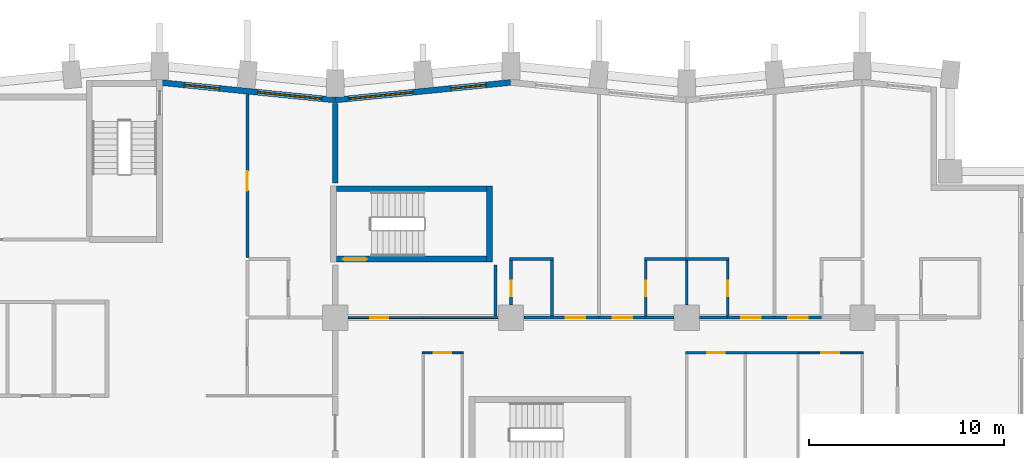
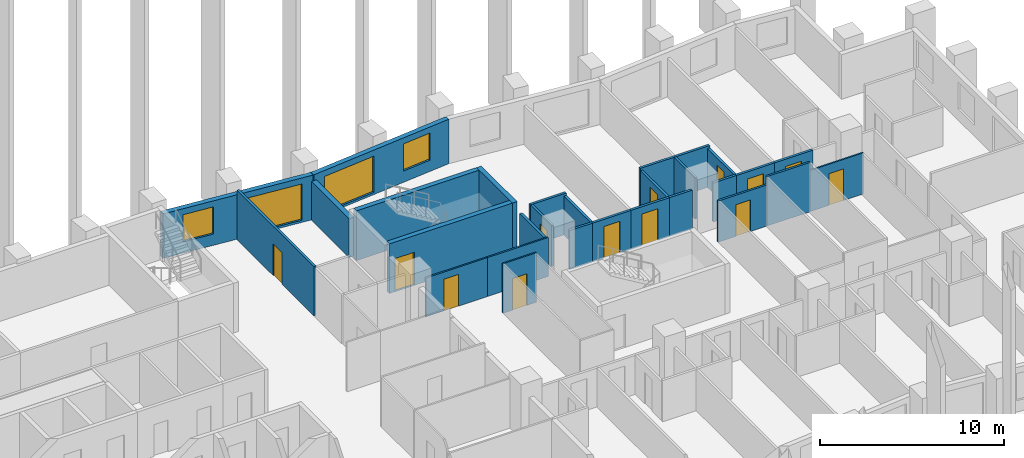
# One storey, part 9 of 13: 29 walls, 13 doors, 4 windows, 17 openings.
"""IFC4 building model written with IfcOpenShell, lengths in metres."""

from ifc_helpers import new_model, si_unit, direction, frame, frame_2d, origin, place, context, subcontext, project, spatial, rectangle, extrude, material, layer, layer_set, type_object, element, fill, save


model = new_model("IFC4")

# Units and contexts
model_context = context("Model", 3, precision=1e-05, world=origin(), true_north=direction((0.0, 1.0)))
body_context = subcontext(model_context, "Body", "Model", "MODEL_VIEW")
ifc_project = project(units=[si_unit("LENGTHUNIT", "METRE"), si_unit("AREAUNIT", "SQUARE_METRE"), si_unit("VOLUMEUNIT", "CUBIC_METRE"), si_unit("PLANEANGLEUNIT", "RADIAN"), si_unit("MASSUNIT", "GRAM", prefix="KILO")], contexts=[model_context])

# Site, building, storey
site_placement = place(None, origin())
site = spatial("IfcSite", under=ifc_project, at=site_placement, CompositionType="ELEMENT")
building_placement = place(site_placement, origin())
building = spatial("IfcBuilding", under=site, at=building_placement, Name="Brondeck Convention Tower", CompositionType="ELEMENT")
storey_placement = place(building_placement, frame((0.0, 0.0, 37.5)))
storey = spatial("IfcBuildingStorey", under=building, at=storey_placement, Name="L06", CompositionType="ELEMENT", Elevation=37.5)

# Wall
ifc_material_1 = material(Name="Concrete compartment wall C30/37", Category="concrete")
ifc_layer_1 = layer(ifc_material_1, 0.300048828125)
ifc_layer_set_1 = layer_set([ifc_layer_1], Name="Compartment wall 300")
wall_type_1 = type_object("IfcWallType", Name="Compartment wall 300", PredefinedType="PARTITIONING", material=ifc_layer_set_1)
wall_1_placement = place(storey_placement, frame((36.0, 61.97509765625, 0.0), z_axis=(0.0, 0.0, 1.0), x_axis=(0.0, -1.0, 0.0)))
element("IfcWall", 1, at=wall_1_placement, inside=storey, type_object=wall_type_1, Name="FLR-L06-W162", PredefinedType="PARTITIONING", context=body_context, shape_type="SweptSolid", body=[
    extrude(rectangle(XDim=4.0751953125, YDim=0.300048828125, at=frame_2d((2.03759765625, 0.0))), origin(), (0.0, 0.0, 1.0), 2.580078125),
])

# Wall, openings, windows
ifc_material_2 = material(Name="Precast concrete C50/60 bronze finish", Category="concrete")
ifc_layer_2 = layer(ifc_material_2, 0.070068359375, Name="Bronze precast facing")
ifc_material_3 = material(Name="Mineral wool")
ifc_layer_3 = layer(ifc_material_3, 0.159912109375, Name="Insulation")
ifc_material_4 = material(Name="Concrete C35/45", Category="concrete")
ifc_layer_4 = layer(ifc_material_4, 0.070068359375, Name="Backing")
ifc_layer_set_2 = layer_set([ifc_layer_2, ifc_layer_3, ifc_layer_4], Name="External infill wall, precast concrete C50/60 bronze facing")
wall_type_2 = type_object("IfcWallType", Name="External infill wall, precast concrete C50/60 bronze facing", PredefinedType="SOLIDWALL", material=ifc_layer_set_2)
wall_2_placement = place(storey_placement, frame((35.985107421875, 62.144287109375, 0.0), z_axis=(0.0, 0.0, 1.0), x_axis=(0.995037993253, 0.099495688264, 0.0)))
wall_2 = element("IfcWall", 2, at=wall_2_placement, inside=storey, type_object=wall_type_2, Name="ENV-EW-L06-P0-A-N-09", PredefinedType="SOLIDWALL", context=body_context, shape_type="SweptSolid", body=[
    extrude(rectangle(XDim=9.030029296875, YDim=0.300048828125, at=frame_2d((4.51513671875, 0.0))), origin(), (0.0, 0.0, 1.0), 2.949951171875),
])
opening_1_placement = place(wall_2_placement, frame((0.711181640625, 0.0, 0.14990234375)))
opening_1 = element("IfcOpeningElement", 3, at=opening_1_placement, cuts=wall_2, Name="Opening W9", PredefinedType="OPENING", context=body_context, shape_type="SweptSolid", body=[
    extrude(rectangle(XDim=3.300048828125, YDim=2.39990234375, at=frame_2d((1.64990234375, 1.199951171875))), frame((0.0, 0.159912109375, 0.0), z_axis=(0.0, -1.0, 0.0), x_axis=(1.0, 0.0, 0.0)), (0.0, 0.0, 1.0), 0.320068359375),
])
opening_2_placement = place(wall_2_placement, frame((5.983642578125, 0.0, 0.75)))
opening_2 = element("IfcOpeningElement", 4, at=opening_2_placement, cuts=wall_2, Name="Opening W10", PredefinedType="OPENING", context=body_context, shape_type="SweptSolid", body=[
    extrude(rectangle(XDim=1.800048828125, YDim=1.800048828125, at=frame_2d((0.89990234375, 0.89990234375))), frame((0.0, 0.159912109375, 0.0), z_axis=(0.0, -1.0, 0.0), x_axis=(1.0, 0.0, 0.0)), (0.0, 0.0, 1.0), 0.320068359375),
])
ifc_material_5 = material(Name="Bronze tinted double glazing", Category="glass")
window_type_1 = type_object("IfcWindowType", Name="Glazed flute window, bronze tinted", PartitioningType="SINGLE_PANEL", PredefinedType="WINDOW", material=ifc_material_5)
window_1_placement = place(opening_1_placement, origin())
window_1 = element("IfcWindow", 5, at=window_1_placement, inside=storey, type_object=window_type_1, Name="ENV-WN-L06-P0-A-N-08", OverallHeight=2.39990234375, OverallWidth=3.300048828125, PartitioningType="SINGLE_PANEL", PredefinedType="WINDOW", context=body_context, shape_type="SweptSolid", body=[
    extrude(rectangle(XDim=3.300048828125, YDim=2.39990234375, at=frame_2d((1.64990234375, 1.199951171875))), frame((0.0, 0.030029296875, 0.0), z_axis=(0.0, -1.0, 0.0), x_axis=(1.0, 0.0, 0.0)), (0.0, 0.0, 1.0), 0.06005859375),
])
fill(opening_1, window_1)
window_type_2 = type_object("IfcWindowType", Name="Punched window, bronze tinted", PartitioningType="SINGLE_PANEL", PredefinedType="WINDOW", material=ifc_material_5)
window_2_placement = place(opening_2_placement, origin())
window_2 = element("IfcWindow", 6, at=window_2_placement, inside=storey, type_object=window_type_2, Name="ENV-WN-L06-P0-A-N-09", OverallHeight=1.800048828125, OverallWidth=1.800048828125, PartitioningType="SINGLE_PANEL", PredefinedType="WINDOW", context=body_context, shape_type="SweptSolid", body=[
    extrude(rectangle(XDim=1.800048828125, YDim=1.800048828125, at=frame_2d((0.89990234375, 0.89990234375))), frame((0.0, 0.030029296875, 0.0), z_axis=(0.0, -1.0, 0.0), x_axis=(1.0, 0.0, 0.0)), (0.0, 0.0, 1.0), 0.06005859375),
])
fill(opening_2, window_2)

wall_3_placement = place(storey_placement, frame((27.064697265625, 63.039306640625, 0.0), z_axis=(0.0, 0.0, 1.0), x_axis=(0.995036379926, -0.099511821531, 0.0)))
wall_3 = element("IfcWall", 7, at=wall_3_placement, inside=storey, type_object=wall_type_2, Name="ENV-EW-L06-P0-A-N-07", PredefinedType="SOLIDWALL", context=body_context, shape_type="SweptSolid", body=[
    extrude(rectangle(XDim=8.949951171875, YDim=0.300048828125, at=frame_2d((4.47509765625, 0.0))), origin(), (0.0, 0.0, 1.0), 2.949951171875),
])
opening_3_placement = place(wall_3_placement, frame((1.211181640625, 0.0, 0.75)))
opening_3 = element("IfcOpeningElement", 8, at=opening_3_placement, cuts=wall_3, Name="Opening W10", PredefinedType="OPENING", context=body_context, shape_type="SweptSolid", body=[
    extrude(rectangle(XDim=1.800048828125, YDim=1.800048828125, at=frame_2d((0.89990234375, 0.89990234375))), frame((0.0, 0.159912109375, 0.0), z_axis=(0.0, -1.0, 0.0), x_axis=(1.0, 0.0, 0.0)), (0.0, 0.0, 1.0), 0.320068359375),
])
opening_4_placement = place(wall_3_placement, frame((4.983642578125, 0.0, 0.14990234375)))
opening_4 = element("IfcOpeningElement", 9, at=opening_4_placement, cuts=wall_3, Name="Opening W9", PredefinedType="OPENING", context=body_context, shape_type="SweptSolid", body=[
    extrude(rectangle(XDim=3.300048828125, YDim=2.39990234375, at=frame_2d((1.64990234375, 1.199951171875))), frame((0.0, 0.159912109375, 0.0), z_axis=(0.0, -1.0, 0.0), x_axis=(1.0, 0.0, 0.0)), (0.0, 0.0, 1.0), 0.320068359375),
])
window_3_placement = place(opening_4_placement, origin())
window_3 = element("IfcWindow", 10, at=window_3_placement, inside=storey, type_object=window_type_1, Name="ENV-WN-L06-P0-A-N-07", OverallHeight=2.39990234375, OverallWidth=3.300048828125, PartitioningType="SINGLE_PANEL", PredefinedType="WINDOW", context=body_context, shape_type="SweptSolid", body=[
    extrude(rectangle(XDim=3.300048828125, YDim=2.39990234375, at=frame_2d((1.64990234375, 1.199951171875))), frame((0.0, 0.030029296875, 0.0), z_axis=(0.0, -1.0, 0.0), x_axis=(1.0, 0.0, 0.0)), (0.0, 0.0, 1.0), 0.06005859375),
])
fill(opening_4, window_3)
window_4_placement = place(opening_3_placement, origin())
window_4 = element("IfcWindow", 11, at=window_4_placement, inside=storey, type_object=window_type_2, Name="ENV-WN-L06-P0-A-N-06", OverallHeight=1.800048828125, OverallWidth=1.800048828125, PartitioningType="SINGLE_PANEL", PredefinedType="WINDOW", context=body_context, shape_type="SweptSolid", body=[
    extrude(rectangle(XDim=1.800048828125, YDim=1.800048828125, at=frame_2d((0.89990234375, 0.89990234375))), frame((0.0, 0.030029296875, 0.0), z_axis=(0.0, -1.0, 0.0), x_axis=(1.0, 0.0, 0.0)), (0.0, 0.0, 1.0), 0.06005859375),
])
fill(opening_3, window_4)

# Wall
ifc_material_6 = material(Name="Double gypsum board acoustic wall")
ifc_layer_5 = layer(ifc_material_6, 0.14990234375)
ifc_layer_set_3 = layer_set([ifc_layer_5], Name="Guest room party wall 150")
wall_type_3 = type_object("IfcWallType", Name="Guest room party wall 150", PredefinedType="PARTITIONING", material=ifc_layer_set_3)
wall_4_placement = place(storey_placement, frame((45.655029296875, 51.0, 0.0), z_axis=(0.0, 0.0, 1.0), x_axis=(1.0, 0.0, 0.0)))
element("IfcWall", 12, at=wall_4_placement, inside=storey, type_object=wall_type_3, Name="FLR-L06-W133", PredefinedType="PARTITIONING", context=body_context, shape_type="SweptSolid", body=[
    extrude(rectangle(XDim=1.445068359375, YDim=0.14990234375, at=frame_2d((0.72265625, 0.0))), origin(), (0.0, 0.0, 1.0), 2.580078125),
])

# Wall, opening, door
wall_5_placement = place(storey_placement, frame((47.10009765625, 51.0, 0.0), z_axis=(0.0, 0.0, 1.0), x_axis=(1.0, 0.0, 0.0)))
wall_5 = element("IfcWall", 13, at=wall_5_placement, inside=storey, type_object=wall_type_3, Name="FLR-L06-W134", PredefinedType="PARTITIONING", context=body_context, shape_type="SweptSolid", body=[
    extrude(rectangle(XDim=2.39990234375, YDim=0.14990234375, at=frame_2d((1.199951171875, 0.0))), origin(), (0.0, 0.0, 1.0), 2.580078125),
])
opening_5_placement = place(wall_5_placement, frame((0.699951171875, 0.0, 0.0)))
opening_5 = element("IfcOpeningElement", 14, at=opening_5_placement, cuts=wall_5, Name="Opening H1-002", PredefinedType="OPENING", context=body_context, shape_type="SweptSolid", body=[
    extrude(rectangle(XDim=1.0, YDim=2.10009765625, at=frame_2d((0.5, 1.050048828125))), frame((0.0, 0.0849609375, 0.0), z_axis=(0.0, -1.0, 0.0), x_axis=(1.0, 0.0, 0.0)), (0.0, 0.0, 1.0), 0.169921875),
])
ifc_material_7 = material(Name="Solid timber fire door leaf", Category="wood")
door_type_1 = type_object("IfcDoorType", Name="Guest room door 1000", OperationType="NOTDEFINED", PredefinedType="DOOR", material=ifc_material_7)
door_1_placement = place(opening_5_placement, origin())
door_1 = element("IfcDoor", 15, at=door_1_placement, inside=storey, type_object=door_type_1, Name="Door H1-002", OperationType="SINGLE_SWING_LEFT", OverallHeight=2.10009765625, OverallWidth=1.0, PredefinedType="DOOR", context=body_context, shape_type="SweptSolid", body=[
    extrude(rectangle(XDim=1.0, YDim=2.10009765625, at=frame_2d((0.5, 1.050048828125))), frame((0.0, 0.02490234375, 0.0), z_axis=(0.0, -1.0, 0.0), x_axis=(1.0, 0.0, 0.0)), (0.0, 0.0, 1.0), 0.050048828125),
])
fill(opening_5, door_1)

wall_6_placement = place(storey_placement, frame((49.5, 51.0, 0.0), z_axis=(0.0, 0.0, 1.0), x_axis=(1.0, 0.0, 0.0)))
wall_6 = element("IfcWall", 16, at=wall_6_placement, inside=storey, type_object=wall_type_3, Name="FLR-L06-W135", PredefinedType="PARTITIONING", context=body_context, shape_type="SweptSolid", body=[
    extrude(rectangle(XDim=2.39990234375, YDim=0.14990234375, at=frame_2d((1.199951171875, 0.0))), origin(), (0.0, 0.0, 1.0), 2.580078125),
])
opening_6_placement = place(wall_6_placement, frame((0.699951171875, 0.0, 0.0)))
opening_6 = element("IfcOpeningElement", 17, at=opening_6_placement, cuts=wall_6, Name="Opening H1-004", PredefinedType="OPENING", context=body_context, shape_type="SweptSolid", body=[
    extrude(rectangle(XDim=1.0, YDim=2.10009765625, at=frame_2d((0.5, 1.050048828125))), frame((0.0, 0.0849609375, 0.0), z_axis=(0.0, -1.0, 0.0), x_axis=(1.0, 0.0, 0.0)), (0.0, 0.0, 1.0), 0.169921875),
])
door_2_placement = place(opening_6_placement, origin())
door_2 = element("IfcDoor", 18, at=door_2_placement, inside=storey, type_object=door_type_1, Name="Door H1-004", OperationType="SINGLE_SWING_LEFT", OverallHeight=2.10009765625, OverallWidth=1.0, PredefinedType="DOOR", context=body_context, shape_type="SweptSolid", body=[
    extrude(rectangle(XDim=1.0, YDim=2.10009765625, at=frame_2d((0.5, 1.050048828125))), frame((0.0, 0.02490234375, 0.0), z_axis=(0.0, -1.0, 0.0), x_axis=(1.0, 0.0, 0.0)), (0.0, 0.0, 1.0), 0.050048828125),
])
fill(opening_6, door_2)

# Walls
for number, where, z_axis, x_axis, name in (
    (19, (51.89990234375, 51.0, 0.0), (0.0, 0.0, 1.0), (1.0, 0.0, 0.0), "FLR-L06-W136"),
    (20, (54.655029296875, 51.0, 0.0), (0.0, 0.0, 1.0), (1.0, 0.0, 0.0), "FLR-L06-W137"),
):
    element("IfcWall", number, at=place(storey_placement, frame(where, z_axis=z_axis, x_axis=x_axis)), inside=storey, type_object=wall_type_3, Name=name, PredefinedType="PARTITIONING", context=body_context, shape_type="SweptSolid", body=[
        extrude(rectangle(XDim=1.445068359375, YDim=0.14990234375, at=frame_2d((0.72265625, 0.0))), origin(), (0.0, 0.0, 1.0), 2.580078125),
    ])

# Wall, opening, door
wall_7_placement = place(storey_placement, frame((56.10009765625, 51.0, 0.0), z_axis=(0.0, 0.0, 1.0), x_axis=(1.0, 0.0, 0.0)))
wall_7 = element("IfcWall", 21, at=wall_7_placement, inside=storey, type_object=wall_type_3, Name="FLR-L06-W138", PredefinedType="PARTITIONING", context=body_context, shape_type="SweptSolid", body=[
    extrude(rectangle(XDim=2.39990234375, YDim=0.14990234375, at=frame_2d((1.199951171875, 0.0))), origin(), (0.0, 0.0, 1.0), 2.580078125),
])
opening_7_placement = place(wall_7_placement, frame((0.699951171875, 0.0, 0.0)))
opening_7 = element("IfcOpeningElement", 22, at=opening_7_placement, cuts=wall_7, Name="Opening H1-006", PredefinedType="OPENING", context=body_context, shape_type="SweptSolid", body=[
    extrude(rectangle(XDim=1.0, YDim=2.10009765625, at=frame_2d((0.5, 1.050048828125))), frame((0.0, 0.0849609375, 0.0), z_axis=(0.0, -1.0, 0.0), x_axis=(1.0, 0.0, 0.0)), (0.0, 0.0, 1.0), 0.169921875),
])
door_3_placement = place(opening_7_placement, origin())
door_3 = element("IfcDoor", 23, at=door_3_placement, inside=storey, type_object=door_type_1, Name="Door H1-006", OperationType="SINGLE_SWING_LEFT", OverallHeight=2.10009765625, OverallWidth=1.0, PredefinedType="DOOR", context=body_context, shape_type="SweptSolid", body=[
    extrude(rectangle(XDim=1.0, YDim=2.10009765625, at=frame_2d((0.5, 1.050048828125))), frame((0.0, 0.02490234375, 0.0), z_axis=(0.0, -1.0, 0.0), x_axis=(1.0, 0.0, 0.0)), (0.0, 0.0, 1.0), 0.050048828125),
])
fill(opening_7, door_3)

wall_8_placement = place(storey_placement, frame((58.5, 51.0, 0.0), z_axis=(0.0, 0.0, 1.0), x_axis=(1.0, 0.0, 0.0)))
wall_8 = element("IfcWall", 24, at=wall_8_placement, inside=storey, type_object=wall_type_3, Name="FLR-L06-W139", PredefinedType="PARTITIONING", context=body_context, shape_type="SweptSolid", body=[
    extrude(rectangle(XDim=2.39990234375, YDim=0.14990234375, at=frame_2d((1.199951171875, 0.0))), origin(), (0.0, 0.0, 1.0), 2.580078125),
])
opening_8_placement = place(wall_8_placement, frame((0.699951171875, 0.0, 0.0)))
opening_8 = element("IfcOpeningElement", 25, at=opening_8_placement, cuts=wall_8, Name="Opening H1-008", PredefinedType="OPENING", context=body_context, shape_type="SweptSolid", body=[
    extrude(rectangle(XDim=1.0, YDim=2.10009765625, at=frame_2d((0.5, 1.050048828125))), frame((0.0, 0.0849609375, 0.0), z_axis=(0.0, -1.0, 0.0), x_axis=(1.0, 0.0, 0.0)), (0.0, 0.0, 1.0), 0.169921875),
])
door_4_placement = place(opening_8_placement, origin())
door_4 = element("IfcDoor", 26, at=door_4_placement, inside=storey, type_object=door_type_1, Name="Door H1-008", OperationType="SINGLE_SWING_LEFT", OverallHeight=2.10009765625, OverallWidth=1.0, PredefinedType="DOOR", context=body_context, shape_type="SweptSolid", body=[
    extrude(rectangle(XDim=1.0, YDim=2.10009765625, at=frame_2d((0.5, 1.050048828125))), frame((0.0, 0.02490234375, 0.0), z_axis=(0.0, -1.0, 0.0), x_axis=(1.0, 0.0, 0.0)), (0.0, 0.0, 1.0), 0.050048828125),
])
fill(opening_8, door_4)

# Wall
wall_9_placement = place(storey_placement, frame((47.10009765625, 51.074951171875, 0.0), z_axis=(0.0, 0.0, 1.0), x_axis=(0.0, 1.0, 0.0)))
element("IfcWall", 27, at=wall_9_placement, inside=storey, type_object=wall_type_3, Name="FLR-L06-W144", PredefinedType="PARTITIONING", context=body_context, shape_type="SweptSolid", body=[
    extrude(rectangle(XDim=2.85009765625, YDim=0.14990234375, at=frame_2d((1.425048828125, 0.0))), origin(), (0.0, 0.0, 1.0), 2.580078125),
])

# Wall, opening, door
wall_10_placement = place(storey_placement, frame((56.10009765625, 51.074951171875, 0.0), z_axis=(0.0, 0.0, 1.0), x_axis=(0.0, 1.0, 0.0)))
wall_10 = element("IfcWall", 28, at=wall_10_placement, inside=storey, type_object=wall_type_3, Name="FLR-L06-W145", PredefinedType="PARTITIONING", context=body_context, shape_type="SweptSolid", body=[
    extrude(rectangle(XDim=2.85009765625, YDim=0.14990234375, at=frame_2d((1.425048828125, 0.0))), origin(), (0.0, 0.0, 1.0), 2.580078125),
])
opening_9_placement = place(wall_10_placement, frame((1.02490234375, 0.0, 0.0)))
opening_9 = element("IfcOpeningElement", 29, at=opening_9_placement, cuts=wall_10, Name="Opening H1-007", PredefinedType="OPENING", context=body_context, shape_type="SweptSolid", body=[
    extrude(rectangle(XDim=0.800048828125, YDim=2.10009765625, at=frame_2d((0.39990234375, 1.050048828125))), frame((0.0, 0.0849609375, 0.0), z_axis=(0.0, -1.0, 0.0), x_axis=(1.0, 0.0, 0.0)), (0.0, 0.0, 1.0), 0.169921875),
])
ifc_material_8 = material(Name="Solid timber door leaf", Category="wood")
door_type_2 = type_object("IfcDoorType", Name="En-suite door 800", OperationType="NOTDEFINED", PredefinedType="DOOR", material=ifc_material_8)
door_5_placement = place(opening_9_placement, origin())
door_5 = element("IfcDoor", 30, at=door_5_placement, inside=storey, type_object=door_type_2, Name="Door H1-007", OperationType="SINGLE_SWING_LEFT", OverallHeight=2.10009765625, OverallWidth=0.800048828125, PredefinedType="DOOR", context=body_context, shape_type="SweptSolid", body=[
    extrude(rectangle(XDim=0.800048828125, YDim=2.10009765625, at=frame_2d((0.39990234375, 1.050048828125))), frame((0.0, 0.02490234375, 0.0), z_axis=(0.0, -1.0, 0.0), x_axis=(1.0, 0.0, 0.0)), (0.0, 0.0, 1.0), 0.050048828125),
])
fill(opening_9, door_5)

# Wall
wall_11_placement = place(storey_placement, frame((44.199951171875, 53.699951171875, 0.0), z_axis=(0.0, 0.0, 1.0), x_axis=(0.0, -1.0, 0.0)))
element("IfcWall", 31, at=wall_11_placement, inside=storey, type_object=wall_type_3, Name="FLR-L06-W148", PredefinedType="PARTITIONING", context=body_context, shape_type="SweptSolid", body=[
    extrude(rectangle(XDim=2.625, YDim=0.14990234375, at=frame_2d((1.3125, 0.0))), origin(), (0.0, 0.0, 1.0), 2.580078125),
])

# Wall, opening, door
wall_12_placement = place(storey_placement, frame((45.0, 53.925048828125, 0.0), z_axis=(0.0, 0.0, 1.0), x_axis=(0.0, -1.0, 0.0)))
wall_12 = element("IfcWall", 32, at=wall_12_placement, inside=storey, type_object=wall_type_3, Name="FLR-L06-W150", PredefinedType="PARTITIONING", context=body_context, shape_type="SweptSolid", body=[
    extrude(rectangle(XDim=2.27001953125, YDim=0.14990234375, at=frame_2d((1.135009765625, 0.0))), origin(), (0.0, 0.0, 1.0), 2.72998046875),
])
opening_10_placement = place(wall_12_placement, frame((1.02490234375, 0.0, 0.0)))
opening_10 = element("IfcOpeningElement", 33, at=opening_10_placement, cuts=wall_12, Name="Opening H1-003", PredefinedType="OPENING", context=body_context, shape_type="SweptSolid", body=[
    extrude(rectangle(XDim=0.800048828125, YDim=2.10009765625, at=frame_2d((0.39990234375, 1.050048828125))), frame((0.0, 0.0849609375, 0.0), z_axis=(0.0, -1.0, 0.0), x_axis=(1.0, 0.0, 0.0)), (0.0, 0.0, 1.0), 0.169921875),
])
door_6_placement = place(opening_10_placement, origin())
door_6 = element("IfcDoor", 34, at=door_6_placement, inside=storey, type_object=door_type_2, Name="Door H1-003", OperationType="SINGLE_SWING_RIGHT", OverallHeight=2.10009765625, OverallWidth=0.800048828125, PredefinedType="DOOR", context=body_context, shape_type="SweptSolid", body=[
    extrude(rectangle(XDim=0.800048828125, YDim=2.10009765625, at=frame_2d((0.39990234375, 1.050048828125))), frame((0.0, 0.02490234375, 0.0), z_axis=(0.0, -1.0, 0.0), x_axis=(1.0, 0.0, 0.0)), (0.0, 0.0, 1.0), 0.050048828125),
])
fill(opening_10, door_6)

wall_13_placement = place(storey_placement, frame((51.89990234375, 53.925048828125, 0.0), z_axis=(0.0, 0.0, 1.0), x_axis=(0.0, -1.0, 0.0)))
wall_13 = element("IfcWall", 35, at=wall_13_placement, inside=storey, type_object=wall_type_3, Name="FLR-L06-W151", PredefinedType="PARTITIONING", context=body_context, shape_type="SweptSolid", body=[
    extrude(rectangle(XDim=2.85009765625, YDim=0.14990234375, at=frame_2d((1.425048828125, 0.0))), origin(), (0.0, 0.0, 1.0), 2.580078125),
])
opening_11_placement = place(wall_13_placement, frame((1.02490234375, 0.0, 0.0)))
opening_11 = element("IfcOpeningElement", 36, at=opening_11_placement, cuts=wall_13, Name="Opening H1-005", PredefinedType="OPENING", context=body_context, shape_type="SweptSolid", body=[
    extrude(rectangle(XDim=0.800048828125, YDim=2.10009765625, at=frame_2d((0.39990234375, 1.050048828125))), frame((0.0, 0.0849609375, 0.0), z_axis=(0.0, -1.0, 0.0), x_axis=(1.0, 0.0, 0.0)), (0.0, 0.0, 1.0), 0.169921875),
])
door_7_placement = place(opening_11_placement, origin())
door_7 = element("IfcDoor", 37, at=door_7_placement, inside=storey, type_object=door_type_2, Name="Door H1-005", OperationType="SINGLE_SWING_LEFT", OverallHeight=2.10009765625, OverallWidth=0.800048828125, PredefinedType="DOOR", context=body_context, shape_type="SweptSolid", body=[
    extrude(rectangle(XDim=0.800048828125, YDim=2.10009765625, at=frame_2d((0.39990234375, 1.050048828125))), frame((0.0, 0.02490234375, 0.0), z_axis=(0.0, -1.0, 0.0), x_axis=(1.0, 0.0, 0.0)), (0.0, 0.0, 1.0), 0.050048828125),
])
fill(opening_11, door_7)

# Walls
wall_14_placement = place(storey_placement, frame((54.0, 53.925048828125, 0.0), z_axis=(0.0, 0.0, 1.0), x_axis=(0.0, -1.0, 0.0)))
element("IfcWall", 38, at=wall_14_placement, inside=storey, type_object=wall_type_3, Name="FLR-L06-W152", PredefinedType="PARTITIONING", context=body_context, shape_type="SweptSolid", body=[
    extrude(rectangle(XDim=2.27001953125, YDim=0.14990234375, at=frame_2d((1.135009765625, 0.0))), origin(), (0.0, 0.0, 1.0), 2.72998046875),
])
wall_15_placement = place(storey_placement, frame((47.175048828125, 54.0, 0.0), z_axis=(0.0, 0.0, 1.0), x_axis=(-1.0, 0.0, 0.0)))
element("IfcWall", 39, at=wall_15_placement, inside=storey, type_object=wall_type_3, Name="FLR-L06-W157", PredefinedType="PARTITIONING", context=body_context, shape_type="SweptSolid", body=[
    extrude(rectangle(XDim=2.25, YDim=0.14990234375, at=frame_2d((1.125, 0.0))), origin(), (0.0, 0.0, 1.0), 2.72998046875),
])
for number, where, z_axis, x_axis, name in (
    (40, (54.0, 54.0, 0.0), (0.0, 0.0, 1.0), (-1.0, 0.0, 0.0), "FLR-L06-W158"),
    (41, (56.175048828125, 54.0, 0.0), (0.0, 0.0, 1.0), (-1.0, 0.0, 0.0), "FLR-L06-W159"),
):
    element("IfcWall", number, at=place(storey_placement, frame(where, z_axis=z_axis, x_axis=x_axis)), inside=storey, type_object=wall_type_3, Name=name, PredefinedType="PARTITIONING", context=body_context, shape_type="SweptSolid", body=[
        extrude(rectangle(XDim=2.175048828125, YDim=0.14990234375, at=frame_2d((1.08740234375, 0.0))), origin(), (0.0, 0.0, 1.0), 2.72998046875),
    ])

# Wall, opening, door
wall_16_placement = place(storey_placement, frame((31.5, 62.425048828125, 0.0), z_axis=(0.0, 0.0, 1.0), x_axis=(0.0, -1.0, 0.0)))
wall_16 = element("IfcWall", 42, at=wall_16_placement, inside=storey, type_object=wall_type_3, Name="FLR-L06-W164", PredefinedType="PARTITIONING", context=body_context, shape_type="SweptSolid", body=[
    extrude(rectangle(XDim=8.35009765625, YDim=0.14990234375, at=frame_2d((4.175048828125, 0.0))), origin(), (0.0, 0.0, 1.0), 3.280029296875),
])
opening_12_placement = place(wall_16_placement, frame((3.925048828125, 0.0, 0.0)))
opening_12 = element("IfcOpeningElement", 43, at=opening_12_placement, cuts=wall_16, Name="Opening H1-046", PredefinedType="OPENING", context=body_context, shape_type="SweptSolid", body=[
    extrude(rectangle(XDim=1.0, YDim=2.10009765625, at=frame_2d((0.5, 1.050048828125))), frame((0.0, 0.0849609375, 0.0), z_axis=(0.0, -1.0, 0.0), x_axis=(1.0, 0.0, 0.0)), (0.0, 0.0, 1.0), 0.169921875),
])
door_8_placement = place(opening_12_placement, origin())
door_8 = element("IfcDoor", 44, at=door_8_placement, inside=storey, type_object=door_type_1, Name="Door H1-046", OperationType="SINGLE_SWING_LEFT", OverallHeight=2.10009765625, OverallWidth=1.0, PredefinedType="DOOR", context=body_context, shape_type="SweptSolid", body=[
    extrude(rectangle(XDim=1.0, YDim=2.10009765625, at=frame_2d((0.5, 1.050048828125))), frame((0.0, 0.02490234375, 0.0), z_axis=(0.0, -1.0, 0.0), x_axis=(1.0, 0.0, 0.0)), (0.0, 0.0, 1.0), 0.050048828125),
])
fill(opening_12, door_8)

ifc_material_9 = material(Name="Gypsum board shaft wall on steel studs", Category="steel")
ifc_layer_6 = layer(ifc_material_9, 0.125)
ifc_layer_set_4 = layer_set([ifc_layer_6], Name="Riser wall 125")
wall_type_4 = type_object("IfcWallType", Name="Riser wall 125", PredefinedType="PARTITIONING", material=ifc_layer_set_4)
wall_17_placement = place(storey_placement, frame((57.0, 49.199951171875, 0.0), z_axis=(0.0, 0.0, 1.0), x_axis=(-1.0, 0.0, 0.0)))
wall_17 = element("IfcWall", 45, at=wall_17_placement, inside=storey, type_object=wall_type_4, Name="FLR-L06-W123", PredefinedType="PARTITIONING", context=body_context, shape_type="SweptSolid", body=[
    extrude(rectangle(XDim=3.0625, YDim=0.125, at=frame_2d((1.53125, 0.0))), origin(), (0.0, 0.0, 1.0), 2.72998046875),
])
opening_13_placement = place(wall_17_placement, frame((1.050048828125, 0.0, 0.0)))
opening_13 = element("IfcOpeningElement", 46, at=opening_13_placement, cuts=wall_17, Name="Opening H1-023", PredefinedType="OPENING", context=body_context, shape_type="SweptSolid", body=[
    extrude(rectangle(XDim=0.89990234375, YDim=2.10009765625, at=frame_2d((0.449951171875, 1.050048828125))), frame((0.0, 0.072509765625, 0.0), z_axis=(0.0, -1.0, 0.0), x_axis=(1.0, 0.0, 0.0)), (0.0, 0.0, 1.0), 0.14501953125),
])
door_type_3 = type_object("IfcDoorType", Name="Single door 900", OperationType="NOTDEFINED", PredefinedType="DOOR", material=ifc_material_8)
door_9_placement = place(opening_13_placement, origin())
door_9 = element("IfcDoor", 47, at=door_9_placement, inside=storey, type_object=door_type_3, Name="Door H1-023", OperationType="SINGLE_SWING_LEFT", OverallHeight=2.10009765625, OverallWidth=0.89990234375, PredefinedType="DOOR", context=body_context, shape_type="SweptSolid", body=[
    extrude(rectangle(XDim=0.89990234375, YDim=2.10009765625, at=frame_2d((0.449951171875, 1.050048828125))), frame((0.0, 0.02490234375, 0.0), z_axis=(0.0, -1.0, 0.0), x_axis=(1.0, 0.0, 0.0)), (0.0, 0.0, 1.0), 0.050048828125),
])
fill(opening_13, door_9)

# Wall
wall_18_placement = place(storey_placement, frame((59.699951171875, 49.199951171875, 0.0), z_axis=(0.0, 0.0, 1.0), x_axis=(-1.0, 0.0, 0.0)))
element("IfcWall", 48, at=wall_18_placement, inside=storey, type_object=wall_type_4, Name="FLR-L06-W124", PredefinedType="PARTITIONING", context=body_context, shape_type="SweptSolid", body=[
    extrude(rectangle(XDim=2.699951171875, YDim=0.125, at=frame_2d((1.35009765625, 0.0))), origin(), (0.0, 0.0, 1.0), 3.280029296875),
])

# Wall, opening, door
ifc_material_10 = material(Name="Gypsum board partition on steel studs", Category="steel")
ifc_layer_7 = layer(ifc_material_10, 0.10009765625)
ifc_layer_set_5 = layer_set([ifc_layer_7], Name="Room partition 100")
wall_type_5 = type_object("IfcWallType", Name="Room partition 100", PredefinedType="PARTITIONING", material=ifc_layer_set_5)
wall_19_placement = place(storey_placement, frame((42.550048828125, 49.199951171875, 0.0), z_axis=(0.0, 0.0, 1.0), x_axis=(-1.0, 0.0, 0.0)))
wall_19 = element("IfcWall", 49, at=wall_19_placement, inside=storey, type_object=wall_type_5, Name="FLR-L06-W122", PredefinedType="PARTITIONING", context=body_context, shape_type="SweptSolid", body=[
    extrude(rectangle(XDim=2.10009765625, YDim=0.10009765625, at=frame_2d((1.050048828125, 0.0))), origin(), (0.0, 0.0, 1.0), 3.280029296875),
])
opening_14_placement = place(wall_19_placement, frame((0.60009765625, 0.0, 0.0)))
opening_14 = element("IfcOpeningElement", 50, at=opening_14_placement, cuts=wall_19, Name="Opening H1-022", PredefinedType="OPENING", context=body_context, shape_type="SweptSolid", body=[
    extrude(rectangle(XDim=0.89990234375, YDim=2.10009765625, at=frame_2d((0.449951171875, 1.050048828125))), frame((0.0, 0.06005859375, 0.0), z_axis=(0.0, -1.0, 0.0), x_axis=(1.0, 0.0, 0.0)), (0.0, 0.0, 1.0), 0.1201171875),
])
door_10_placement = place(opening_14_placement, origin())
door_10 = element("IfcDoor", 51, at=door_10_placement, inside=storey, type_object=door_type_3, Name="Door H1-022", OperationType="SINGLE_SWING_LEFT", OverallHeight=2.10009765625, OverallWidth=0.89990234375, PredefinedType="DOOR", context=body_context, shape_type="SweptSolid", body=[
    extrude(rectangle(XDim=0.89990234375, YDim=2.10009765625, at=frame_2d((0.449951171875, 1.050048828125))), frame((0.0, 0.02490234375, 0.0), z_axis=(0.0, -1.0, 0.0), x_axis=(1.0, 0.0, 0.0)), (0.0, 0.0, 1.0), 0.050048828125),
])
fill(opening_14, door_10)

wall_20_placement = place(storey_placement, frame((63.050048828125, 49.199951171875, 0.0), z_axis=(0.0, 0.0, 1.0), x_axis=(-1.0, 0.0, 0.0)))
wall_20 = element("IfcWall", 52, at=wall_20_placement, inside=storey, type_object=wall_type_5, Name="FLR-L06-W125", PredefinedType="PARTITIONING", context=body_context, shape_type="SweptSolid", body=[
    extrude(rectangle(XDim=3.35009765625, YDim=0.10009765625, at=frame_2d((1.675048828125, 0.0))), origin(), (0.0, 0.0, 1.0), 2.72998046875),
])
opening_15_placement = place(wall_20_placement, frame((1.25, 0.0, 0.0)))
opening_15 = element("IfcOpeningElement", 53, at=opening_15_placement, cuts=wall_20, Name="Opening H1-025", PredefinedType="OPENING", context=body_context, shape_type="SweptSolid", body=[
    extrude(rectangle(XDim=0.89990234375, YDim=2.10009765625, at=frame_2d((0.449951171875, 1.050048828125))), frame((0.0, 0.06005859375, 0.0), z_axis=(0.0, -1.0, 0.0), x_axis=(1.0, 0.0, 0.0)), (0.0, 0.0, 1.0), 0.1201171875),
])
door_11_placement = place(opening_15_placement, origin())
door_11 = element("IfcDoor", 54, at=door_11_placement, inside=storey, type_object=door_type_3, Name="Door H1-025", OperationType="SINGLE_SWING_LEFT", OverallHeight=2.10009765625, OverallWidth=0.89990234375, PredefinedType="DOOR", context=body_context, shape_type="SweptSolid", body=[
    extrude(rectangle(XDim=0.89990234375, YDim=2.10009765625, at=frame_2d((0.449951171875, 1.050048828125))), frame((0.0, 0.02490234375, 0.0), z_axis=(0.0, -1.0, 0.0), x_axis=(1.0, 0.0, 0.0)), (0.0, 0.0, 1.0), 0.050048828125),
])
fill(opening_15, door_11)

wall_21_placement = place(storey_placement, frame((40.5, 51.0, 0.0), z_axis=(0.0, 0.0, 1.0), x_axis=(-1.0, 0.0, 0.0)))
wall_21 = element("IfcWall", 55, at=wall_21_placement, inside=storey, type_object=wall_type_5, Name="FLR-L06-W131", PredefinedType="PARTITIONING", context=body_context, shape_type="SweptSolid", body=[
    extrude(rectangle(XDim=3.844970703125, YDim=0.10009765625, at=frame_2d((1.92236328125, 0.0))), origin(), (0.0, 0.0, 1.0), 2.580078125),
])
opening_16_placement = place(wall_21_placement, frame((1.800048828125, 0.0, 0.0)))
opening_16 = element("IfcOpeningElement", 56, at=opening_16_placement, cuts=wall_21, Name="Opening H1-001", PredefinedType="OPENING", context=body_context, shape_type="SweptSolid", body=[
    extrude(rectangle(XDim=0.89990234375, YDim=2.10009765625, at=frame_2d((0.449951171875, 1.050048828125))), frame((0.0, 0.06005859375, 0.0), z_axis=(0.0, -1.0, 0.0), x_axis=(1.0, 0.0, 0.0)), (0.0, 0.0, 1.0), 0.1201171875),
])
door_12_placement = place(opening_16_placement, origin())
door_12 = element("IfcDoor", 57, at=door_12_placement, inside=storey, type_object=door_type_3, Name="Door H1-001", OperationType="SINGLE_SWING_LEFT", OverallHeight=2.10009765625, OverallWidth=0.89990234375, PredefinedType="DOOR", context=body_context, shape_type="SweptSolid", body=[
    extrude(rectangle(XDim=0.89990234375, YDim=2.10009765625, at=frame_2d((0.449951171875, 1.050048828125))), frame((0.0, 0.02490234375, 0.0), z_axis=(0.0, -1.0, 0.0), x_axis=(1.0, 0.0, 0.0)), (0.0, 0.0, 1.0), 0.050048828125),
])
fill(opening_16, door_12)

# Wall
wall_22_placement = place(storey_placement, frame((44.330078125, 51.0, 0.0), z_axis=(0.0, 0.0, 1.0), x_axis=(-1.0, 0.0, 0.0)))
element("IfcWall", 58, at=wall_22_placement, inside=storey, type_object=wall_type_5, Name="FLR-L06-W132", PredefinedType="PARTITIONING", context=body_context, shape_type="SweptSolid", body=[
    extrude(rectangle(XDim=3.830078125, YDim=0.10009765625, at=frame_2d((1.9150390625, 0.0))), origin(), (0.0, 0.0, 1.0), 2.580078125),
])

# Wall, opening, door
ifc_material_11 = material(Name="Concrete C80/95", Category="concrete")
ifc_layer_8 = layer(ifc_material_11, 0.300048828125)
ifc_layer_set_6 = layer_set([ifc_layer_8], Name="Stair enclosure wall 300 Concrete C80/95")
wall_type_6 = type_object("IfcWallType", Name="Stair enclosure wall 300 Concrete C80/95", PredefinedType="SHEAR", material=ifc_layer_set_6)
wall_23_placement = place(storey_placement, frame((36.050048828125, 54.0, 0.0), z_axis=(0.0, 0.0, 1.0), x_axis=(1.0, 0.0, 0.0)))
wall_23 = element("IfcWall", 59, at=wall_23_placement, inside=storey, type_object=wall_type_6, Name="L06 core wall", PredefinedType="SHEAR", context=body_context, shape_type="SweptSolid", body=[
    extrude(rectangle(XDim=7.699951171875, YDim=0.300048828125, at=frame_2d((3.85009765625, 0.0))), origin(), (0.0, 0.0, 1.0), 3.300048828125),
])
opening_17_placement = place(wall_23_placement, frame((0.35009765625, 0.0, 0.0)))
opening_17 = element("IfcOpeningElement", 60, at=opening_17_placement, cuts=wall_23, Name="Opening C08-17", PredefinedType="OPENING", context=body_context, shape_type="SweptSolid", body=[
    extrude(rectangle(XDim=1.199951171875, YDim=2.199951171875, at=frame_2d((0.60009765625, 1.10009765625))), frame((0.0, 0.159912109375, 0.0), z_axis=(0.0, -1.0, 0.0), x_axis=(1.0, 0.0, 0.0)), (0.0, 0.0, 1.0), 0.320068359375),
])
ifc_material_12 = material(Name="Steel fire door", Category="steel")
door_type_4 = type_object("IfcDoorType", Name="Stair door 1200x2200 EI 90", OperationType="NOTDEFINED", PredefinedType="DOOR", material=ifc_material_12)
door_13_placement = place(opening_17_placement, origin())
door_13 = element("IfcDoor", 61, at=door_13_placement, inside=storey, type_object=door_type_4, Name="L06 Stair door ST-AE", OperationType="SINGLE_SWING_LEFT", OverallHeight=2.199951171875, OverallWidth=1.199951171875, PredefinedType="DOOR", context=body_context, shape_type="SweptSolid", body=[
    extrude(rectangle(XDim=1.199951171875, YDim=2.199951171875, at=frame_2d((0.60009765625, 1.10009765625))), frame((0.0, 0.02490234375, 0.0), z_axis=(0.0, -1.0, 0.0), x_axis=(1.0, 0.0, 0.0)), (0.0, 0.0, 1.0), 0.050048828125),
])
fill(opening_17, door_13)

# Walls
wall_24_placement = place(storey_placement, frame((36.050048828125, 57.60009765625, 0.0), z_axis=(0.0, 0.0, 1.0), x_axis=(1.0, 0.0, 0.0)))
element("IfcWall", 62, at=wall_24_placement, inside=storey, type_object=wall_type_6, Name="L06 core wall", PredefinedType="SHEAR", context=body_context, shape_type="SweptSolid", body=[
    extrude(rectangle(XDim=7.699951171875, YDim=0.300048828125, at=frame_2d((3.85009765625, 0.0))), origin(), (0.0, 0.0, 1.0), 3.300048828125),
])
wall_25_placement = place(storey_placement, frame((43.89990234375, 53.85009765625, 0.0), z_axis=(0.0, 0.0, 1.0), x_axis=(0.0, 1.0, 0.0)))
element("IfcWall", 63, at=wall_25_placement, inside=storey, type_object=wall_type_6, Name="L06 core wall", PredefinedType="SHEAR", context=body_context, shape_type="SweptSolid", body=[
    extrude(rectangle(XDim=3.89990234375, YDim=0.300048828125, at=frame_2d((1.949951171875, 0.0))), origin(), (0.0, 0.0, 1.0), 3.300048828125),
])

save(model, "model.ifc")
